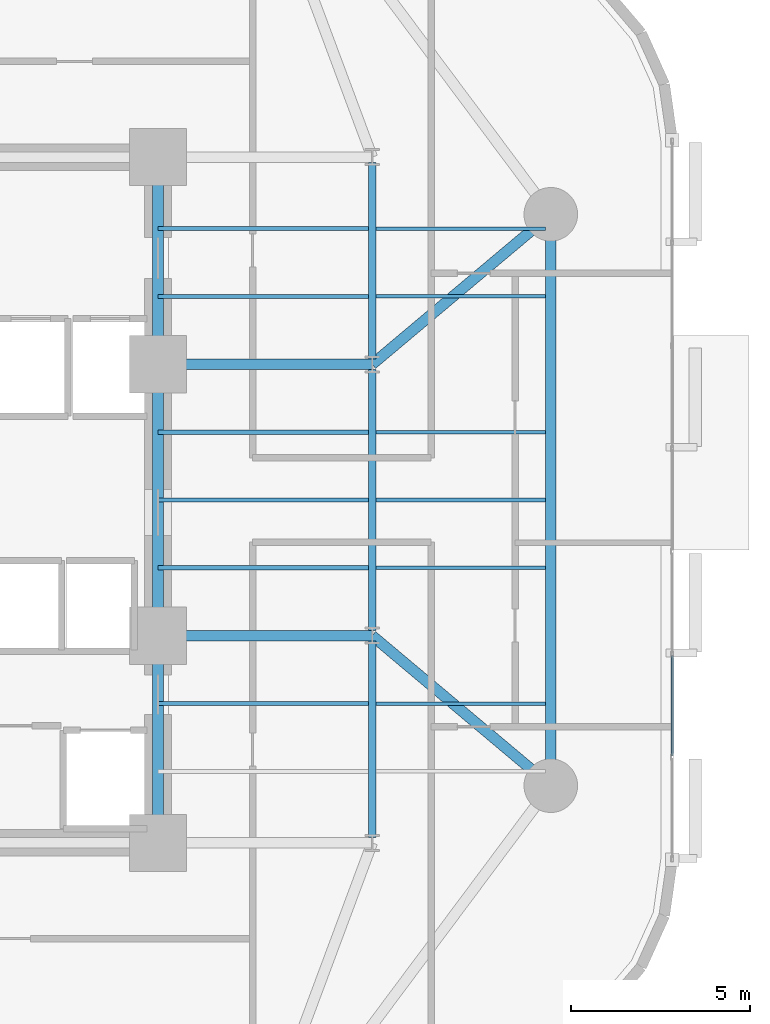
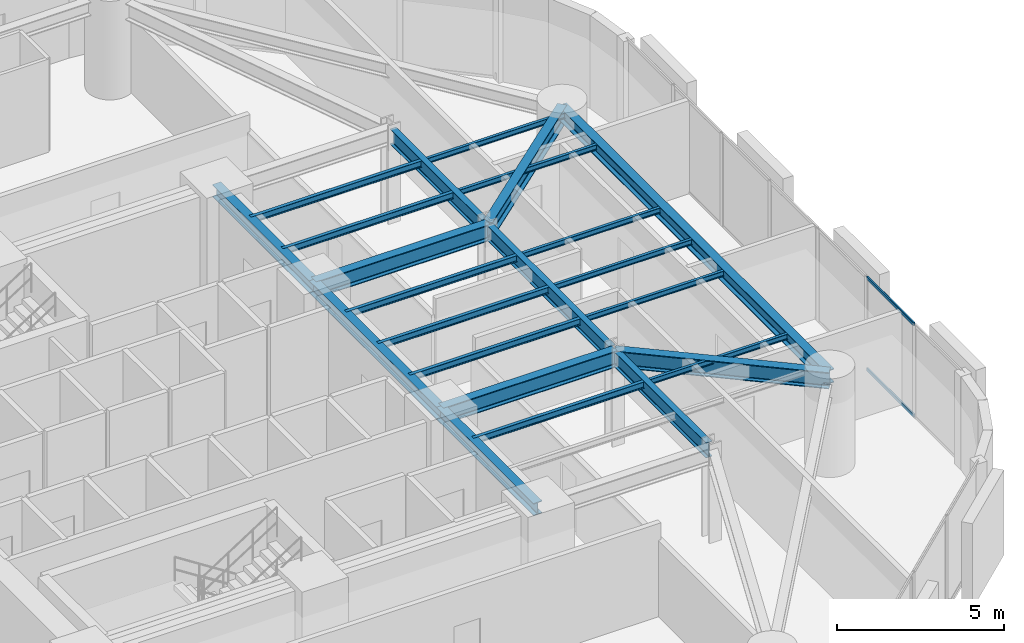
# One storey, part 5 of 16: 23 beams, 2 members, 1 element without a shape of its own.
"""IFC4 building model written with IfcOpenShell, lengths in metres."""

from ifc_helpers import new_model, si_unit, direction, frame, origin, origin_2d, place, context, subcontext, project, spatial, hollow_rectangle, i_section, extrude, material, layer, layer_set, material_profile, profile_set, type_object, element, aggregate, save


model = new_model("IFC4")

# Units and contexts
model_context = context("Model", 3, precision=1e-05, world=origin(), true_north=direction((0.0, 1.0)))
body_context = subcontext(model_context, "Body", "Model", "MODEL_VIEW")
ifc_project = project(units=[si_unit("LENGTHUNIT", "METRE"), si_unit("AREAUNIT", "SQUARE_METRE"), si_unit("VOLUMEUNIT", "CUBIC_METRE"), si_unit("PLANEANGLEUNIT", "RADIAN"), si_unit("MASSUNIT", "GRAM", prefix="KILO")], contexts=[model_context])

# Site, building, storey
site_placement = place(None, origin())
site = spatial("IfcSite", under=ifc_project, at=site_placement, CompositionType="ELEMENT")
building_placement = place(site_placement, origin())
building = spatial("IfcBuilding", under=site, at=building_placement, Name="An Khanh Terracotta Commons", CompositionType="ELEMENT")
storey_placement = place(building_placement, frame((0.0, 0.0, 50.39990234375)))
storey = spatial("IfcBuildingStorey", under=building, at=storey_placement, Name="L13", CompositionType="ELEMENT", Elevation=50.39990234375)

# Beams
ifc_material_1 = material(Name="Steel S355J2", Category="steel")
ifc_material_profile_1 = material_profile(ifc_material_1, i_section(OverallWidth=0.300048828125, OverallDepth=0.449951171875, WebThickness=0.013916015625, FlangeThickness=0.02587890625, FilletRadius=0.027099609375, at=origin_2d()), Name="HEB450")
ifc_profile_set_1 = profile_set([ifc_material_profile_1], Name="Steel S355J2")
beam_type_1 = type_object("IfcBeamType", Name="BM-HEB450", PredefinedType="BEAM", material=ifc_profile_set_1)
beam_1_placement = place(storey_placement, frame((37.199951171875, 14.39990234375, 3.175048828125), z_axis=(0.0, 1.0, 0.0), x_axis=(-1.0, 0.0, 0.0)))
element("IfcBeam", 1, at=beam_1_placement, inside=storey, type_object=beam_type_1, Name="L13 Core East Coupling Girder 1", PredefinedType="BEAM", context=body_context, shape_type="SweptSolid", body=[
    extrude(i_section(OverallWidth=0.300048828125, OverallDepth=0.449951171875, WebThickness=0.013916015625, FlangeThickness=0.02587890625, FilletRadius=0.027099609375, at=origin_2d()), origin(), (0.0, 0.0, 1.0), 5.800048828125),
])
beam_2_placement = place(storey_placement, frame((37.199951171875, 20.199951171875, 3.175048828125), z_axis=(0.0, 1.0, 0.0), x_axis=(-1.0, 0.0, 0.0)))
element("IfcBeam", 2, at=beam_2_placement, inside=storey, type_object=beam_type_1, Name="L13 Core East Coupling Girder 2", PredefinedType="BEAM", context=body_context, shape_type="SweptSolid", body=[
    extrude(i_section(OverallWidth=0.300048828125, OverallDepth=0.449951171875, WebThickness=0.013916015625, FlangeThickness=0.02587890625, FilletRadius=0.027099609375, at=origin_2d()), origin(), (0.0, 0.0, 1.0), 7.60009765625),
])
beam_3_placement = place(storey_placement, frame((37.199951171875, 27.800048828125, 3.175048828125), z_axis=(0.0, 1.0, 0.0), x_axis=(-1.0, 0.0, 0.0)))
element("IfcBeam", 3, at=beam_3_placement, inside=storey, type_object=beam_type_1, Name="L13 Core East Coupling Girder 3", PredefinedType="BEAM", context=body_context, shape_type="SweptSolid", body=[
    extrude(i_section(OverallWidth=0.300048828125, OverallDepth=0.449951171875, WebThickness=0.013916015625, FlangeThickness=0.02587890625, FilletRadius=0.027099609375, at=origin_2d()), origin(), (0.0, 0.0, 1.0), 5.800048828125),
])
ifc_material_profile_2 = material_profile(ifc_material_1, i_section(OverallWidth=0.300048828125, OverallDepth=0.5, WebThickness=0.014404296875, FlangeThickness=0.028076171875, FilletRadius=0.027099609375, at=origin_2d()), Name="HEB500")
ifc_profile_set_2 = profile_set([ifc_material_profile_2], Name="Steel S355J2")
beam_type_2 = type_object("IfcBeamType", Name="BM-HEB500", PredefinedType="BEAM", material=ifc_profile_set_2)
beam_4_placement = place(storey_placement, frame((48.199951171875, 16.0, 3.150146484375), z_axis=(0.0, 1.0, 0.0), x_axis=(-1.0, 0.0, 0.0)))
element("IfcBeam", 4, at=beam_4_placement, inside=storey, type_object=beam_type_2, Name="L13 Perimeter Ring Spandrel 3", PredefinedType="BEAM", context=body_context, shape_type="SweptSolid", body=[
    extrude(i_section(OverallWidth=0.300048828125, OverallDepth=0.5, WebThickness=0.014404296875, FlangeThickness=0.028076171875, FilletRadius=0.027099609375, at=origin_2d()), origin(), (0.0, 0.0, 1.0), 16.0),
])
ifc_material_profile_3 = material_profile(ifc_material_1, i_section(OverallWidth=0.300048828125, OverallDepth=0.60009765625, WebThickness=0.015380859375, FlangeThickness=0.030029296875, FilletRadius=0.027099609375, at=origin_2d()), Name="HEB600")
ifc_profile_set_3 = profile_set([ifc_material_profile_3], Name="Steel S355J2")
beam_type_3 = type_object("IfcBeamType", Name="BM-HEB600", PredefinedType="BEAM", material=ifc_profile_set_3)
for number, where, z_axis, x_axis, name in (
    (5, (37.199951171875, 20.199951171875, 3.10009765625), (1.0, 0.0, 0.0), (0.0, 1.0, 0.0), "L13 East Primary Floor Girder 2"),
    (6, (37.199951171875, 27.800048828125, 3.10009765625), (1.0, 0.0, 0.0), (0.0, 1.0, 0.0), "L13 East Primary Floor Girder 3"),
):
    element("IfcBeam", number, at=place(storey_placement, frame(where, z_axis=z_axis, x_axis=x_axis)), inside=storey, type_object=beam_type_3, Name=name, PredefinedType="BEAM", context=body_context, shape_type="SweptSolid", body=[
        extrude(i_section(OverallWidth=0.300048828125, OverallDepth=0.60009765625, WebThickness=0.015380859375, FlangeThickness=0.030029296875, FilletRadius=0.027099609375, at=origin_2d()), origin(), (0.0, 0.0, 1.0), 6.0),
    ])
for number, where, z_axis, x_axis, name in (
    (7, (48.199951171875, 16.0, 3.10009765625), (-0.765708547471, 0.643187702253, 0.0), (-0.643187702253, -0.765708547471, 0.0), "L13 Mega-Column Tie Girder 3"),
    (8, (48.199951171875, 32.0, 3.10009765625), (-0.765708547471, -0.643187702253, 0.0), (0.643187702253, -0.765708547471, 0.0), "L13 Mega-Column Tie Girder 4"),
):
    element("IfcBeam", number, at=place(storey_placement, frame(where, z_axis=z_axis, x_axis=x_axis)), inside=storey, type_object=beam_type_3, Name=name, PredefinedType="BEAM", context=body_context, shape_type="SweptSolid", body=[
        extrude(i_section(OverallWidth=0.300048828125, OverallDepth=0.60009765625, WebThickness=0.015380859375, FlangeThickness=0.030029296875, FilletRadius=0.027099609375, at=origin_2d()), origin(), (0.0, 0.0, 1.0), 6.52978515625),
    ])
ifc_material_profile_4 = material_profile(ifc_material_1, i_section(OverallWidth=0.10009765625, OverallDepth=0.199951171875, WebThickness=0.005615234375, FlangeThickness=0.008544921875, FilletRadius=0.011962890625, at=origin_2d()), Name="IPE200")
ifc_profile_set_4 = profile_set([ifc_material_profile_4], Name="Steel S355J2")
beam_type_4 = type_object("IfcBeamType", Name="BM-IPE200", PredefinedType="JOIST", material=ifc_profile_set_4)
for number, where, z_axis, x_axis, name in (
    (9, (43.304931640625, 18.300048828125, 3.300048828125), (1.0, 0.0, 0.0), (0.0, 1.0, 0.0), "L13 Riverfront Composite Joist 2"),
    (10, (43.304931640625, 22.10009765625, 3.300048828125), (1.0, 0.0, 0.0), (0.0, 1.0, 0.0), "L13 Riverfront Composite Joist 3"),
    (11, (43.304931640625, 24.0, 3.300048828125), (1.0, 0.0, 0.0), (0.0, 1.0, 0.0), "L13 Riverfront Composite Joist 4"),
    (12, (43.304931640625, 25.89990234375, 3.300048828125), (1.0, 0.0, 0.0), (0.0, 1.0, 0.0), "L13 Riverfront Composite Joist 5"),
    (13, (43.304931640625, 29.699951171875, 3.300048828125), (1.0, 0.0, 0.0), (0.0, 1.0, 0.0), "L13 Riverfront Composite Joist 6"),
    (14, (43.304931640625, 31.60009765625, 3.300048828125), (1.0, 0.0, 0.0), (0.0, 1.0, 0.0), "L13 Riverfront Composite Joist 7"),
):
    element("IfcBeam", number, at=place(storey_placement, frame(where, z_axis=z_axis, x_axis=x_axis)), inside=storey, type_object=beam_type_4, Name=name, PredefinedType="JOIST", context=body_context, shape_type="SweptSolid", body=[
        extrude(i_section(OverallWidth=0.10009765625, OverallDepth=0.199951171875, WebThickness=0.005615234375, FlangeThickness=0.008544921875, FilletRadius=0.011962890625, at=origin_2d()), origin(), (0.0, 0.0, 1.0), 4.7451171875),
    ])
ifc_material_profile_5 = material_profile(ifc_material_1, i_section(OverallWidth=0.1201171875, OverallDepth=0.239990234375, WebThickness=0.006103515625, FlangeThickness=0.009765625, FilletRadius=0.014892578125, at=origin_2d()), Name="IPE240")
ifc_profile_set_5 = profile_set([ifc_material_profile_5], Name="Steel S355J2")
beam_type_5 = type_object("IfcBeamType", Name="BM-IPE240", PredefinedType="JOIST", material=ifc_profile_set_5)
for number, where, z_axis, x_axis, name in (
    (15, (37.199951171875, 18.300048828125, 3.280029296875), (1.0, 0.0, 0.0), (0.0, 1.0, 0.0), "L13 Inboard Composite Joist 2"),
    (16, (37.199951171875, 22.10009765625, 3.280029296875), (1.0, 0.0, 0.0), (0.0, 1.0, 0.0), "L13 Inboard Composite Joist 3"),
    (17, (37.199951171875, 24.0, 3.280029296875), (1.0, 0.0, 0.0), (0.0, 1.0, 0.0), "L13 Inboard Composite Joist 4"),
    (18, (37.199951171875, 25.89990234375, 3.280029296875), (1.0, 0.0, 0.0), (0.0, 1.0, 0.0), "L13 Inboard Composite Joist 5"),
    (19, (37.199951171875, 29.699951171875, 3.280029296875), (1.0, 0.0, 0.0), (0.0, 1.0, 0.0), "L13 Inboard Composite Joist 6"),
    (20, (37.199951171875, 31.60009765625, 3.280029296875), (1.0, 0.0, 0.0), (0.0, 1.0, 0.0), "L13 Inboard Composite Joist 7"),
):
    element("IfcBeam", number, at=place(storey_placement, frame(where, z_axis=z_axis, x_axis=x_axis)), inside=storey, type_object=beam_type_5, Name=name, PredefinedType="JOIST", context=body_context, shape_type="SweptSolid", body=[
        extrude(i_section(OverallWidth=0.1201171875, OverallDepth=0.239990234375, WebThickness=0.006103515625, FlangeThickness=0.009765625, FilletRadius=0.014892578125, at=origin_2d()), origin(), (0.0, 0.0, 1.0), 5.89501953125),
    ])
ifc_material_profile_6 = material_profile(ifc_material_1, i_section(OverallWidth=0.2099609375, OverallDepth=0.550048828125, WebThickness=0.010986328125, FlangeThickness=0.01708984375, FilletRadius=0.02392578125, at=origin_2d()), Name="IPE550")
ifc_profile_set_6 = profile_set([ifc_material_profile_6], Name="Steel S355J2")
beam_type_6 = type_object("IfcBeamType", Name="BM-IPE550", PredefinedType="BEAM", material=ifc_profile_set_6)
beam_5_placement = place(storey_placement, frame((43.199951171875, 14.550048828125, 3.125), z_axis=(0.0, 1.0, 0.0), x_axis=(-1.0, 0.0, 0.0)))
element("IfcBeam", 21, at=beam_5_placement, inside=storey, type_object=beam_type_6, Name="L13 East Spine Girder 1", PredefinedType="BEAM", context=body_context, shape_type="SweptSolid", body=[
    extrude(i_section(OverallWidth=0.2099609375, OverallDepth=0.550048828125, WebThickness=0.010986328125, FlangeThickness=0.01708984375, FilletRadius=0.02392578125, at=origin_2d()), origin(), (0.0, 0.0, 1.0), 5.5),
])
beam_6_placement = place(storey_placement, frame((43.199951171875, 20.35009765625, 3.125), z_axis=(0.0, 1.0, 0.0), x_axis=(-1.0, 0.0, 0.0)))
element("IfcBeam", 22, at=beam_6_placement, inside=storey, type_object=beam_type_6, Name="L13 East Spine Girder 2", PredefinedType="BEAM", context=body_context, shape_type="SweptSolid", body=[
    extrude(i_section(OverallWidth=0.2099609375, OverallDepth=0.550048828125, WebThickness=0.010986328125, FlangeThickness=0.01708984375, FilletRadius=0.02392578125, at=origin_2d()), origin(), (0.0, 0.0, 1.0), 7.2998046875),
])
beam_7_placement = place(storey_placement, frame((43.199951171875, 27.949951171875, 3.125), z_axis=(0.0, 1.0, 0.0), x_axis=(-1.0, 0.0, 0.0)))
element("IfcBeam", 23, at=beam_7_placement, inside=storey, type_object=beam_type_6, Name="L13 East Spine Girder 3", PredefinedType="BEAM", context=body_context, shape_type="SweptSolid", body=[
    extrude(i_section(OverallWidth=0.2099609375, OverallDepth=0.550048828125, WebThickness=0.010986328125, FlangeThickness=0.01708984375, FilletRadius=0.02392578125, at=origin_2d()), origin(), (0.0, 0.0, 1.0), 5.5),
])

# Curtain wall, members
ifc_material_2 = material(Name="Anodised Aluminium 6063-T6", Category="aluminium")
ifc_layer = layer(ifc_material_2, 0.199951171875, Name="Anodised Aluminium 6063-T6")
ifc_layer_set = layer_set([ifc_layer], Name="Anodised Aluminium 6063-T6")
curtain_wall_type = type_object("IfcCurtainWallType", Name="CW-SYS-02", PredefinedType="USERDEFINED", material=ifc_layer_set)
curtain_wall_placement = place(storey_placement, origin())
curtain_wall = element("IfcCurtainWall", 24, at=curtain_wall_placement, inside=storey, type_object=curtain_wall_type, Name="L13 CW-02 Unitised Curtain Wall CW-L13-12", ObjectType="UNITISED CURTAIN WALL", PredefinedType="USERDEFINED")
ifc_material_profile_7 = material_profile(ifc_material_2, hollow_rectangle(XDim=0.06005859375, YDim=0.1201171875, WallThickness=0.003662109375, InnerFilletRadius=0.003662109375, OuterFilletRadius=0.007080078125, at=origin_2d()), Name="RHS120x60x3.6")
ifc_profile_set_7 = profile_set([ifc_material_profile_7], Name="Anodised Aluminium 6063-T6")
member_type = type_object("IfcMemberType", Name="CWT-RHS120x60x3.6", PredefinedType="USERDEFINED", material=ifc_profile_set_7)
member_1_placement = place(storey_placement, frame((51.60009765625, 16.837158203125, 0.030029296875), z_axis=(0.0, 1.0, 0.0), x_axis=(-1.0, 0.0, 0.0)))
member_1 = element("IfcMember", 25, at=member_1_placement, type_object=member_type, Name="CW-02 transom 2.1", ObjectType="TRANSOM", PredefinedType="USERDEFINED", context=body_context, shape_type="SweptSolid", body=[
    extrude(hollow_rectangle(XDim=0.06005859375, YDim=0.1201171875, WallThickness=0.003662109375, InnerFilletRadius=0.003662109375, OuterFilletRadius=0.007080078125, at=origin_2d()), origin(), (0.0, 0.0, 1.0), 2.80908203125),
])
member_2_placement = place(storey_placement, frame((51.60009765625, 16.837158203125, 3.3701171875), z_axis=(0.0, 1.0, 0.0), x_axis=(-1.0, 0.0, 0.0)))
member_2 = element("IfcMember", 26, at=member_2_placement, type_object=member_type, Name="CW-02 transom 2.2", ObjectType="TRANSOM", PredefinedType="USERDEFINED", context=body_context, shape_type="SweptSolid", body=[
    extrude(hollow_rectangle(XDim=0.06005859375, YDim=0.1201171875, WallThickness=0.003662109375, InnerFilletRadius=0.003662109375, OuterFilletRadius=0.007080078125, at=origin_2d()), origin(), (0.0, 0.0, 1.0), 2.80908203125),
])
aggregate(curtain_wall, [member_1, member_2])

save(model, "model.ifc")
